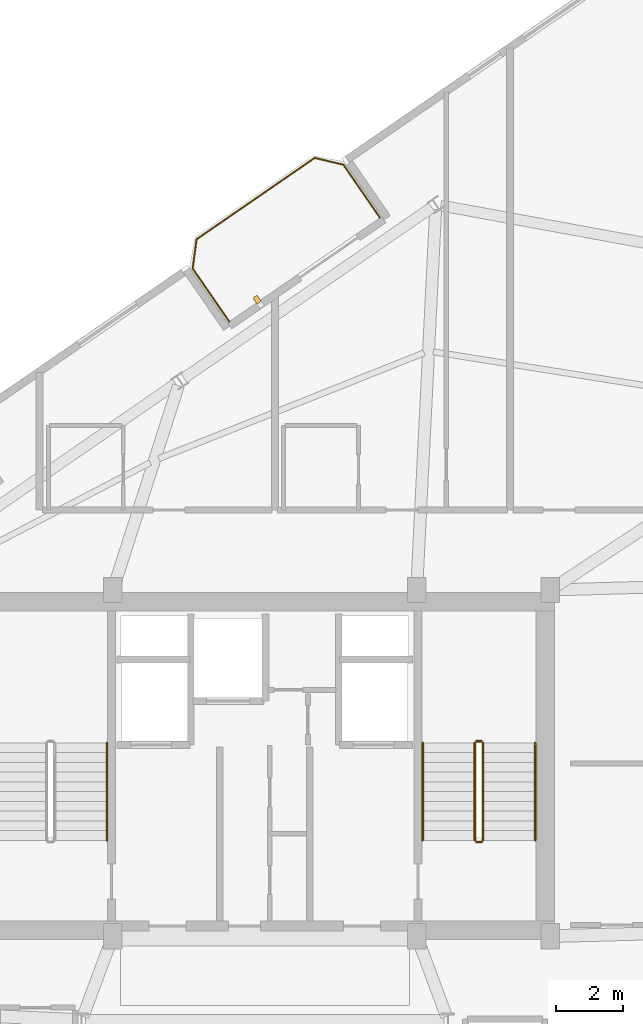
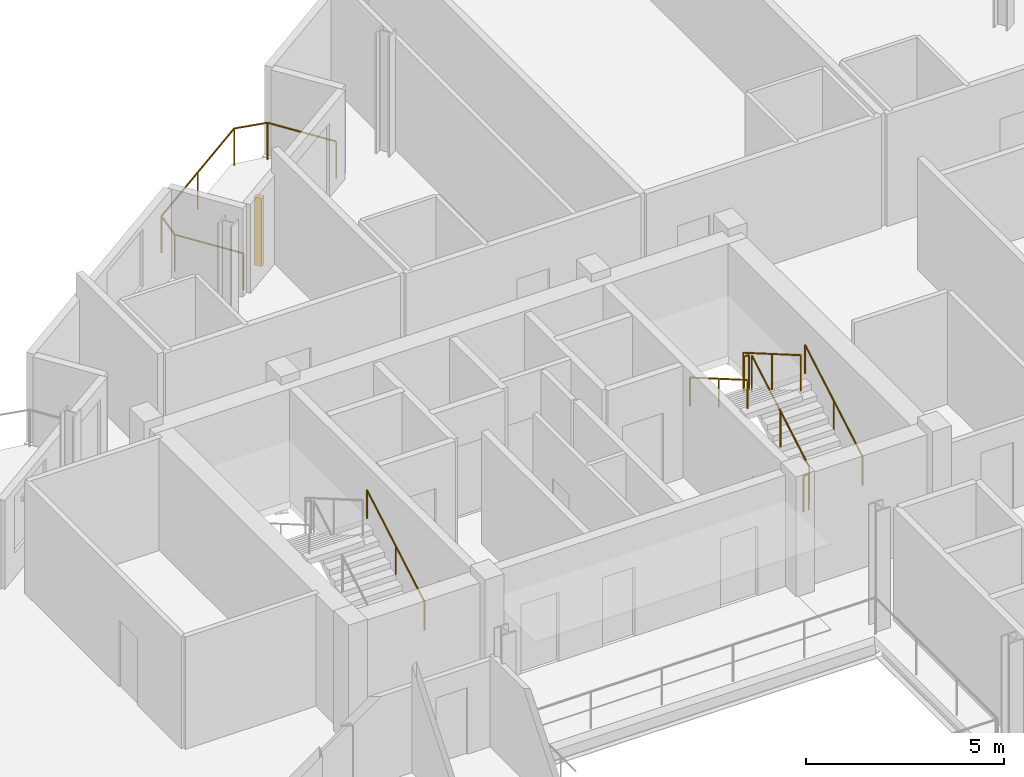
# One storey, part 22 of 22: 8 railings, 1 shading device.
"""IFC4 building model written with IfcOpenShell, lengths in metres."""

import ifcopenshell
import ifcopenshell.guid

model = None  # the IFC model being written
_history = None  # IfcOwnerHistory: only IFC2X3 demands one
_inside = {}  # id of a spatial element -> (the spatial element, [elements in it])
_under = {}  # id of a project, library or spatial element -> (it, [spatial elements below it])
_declared = {}  # id of a project -> (the project, [libraries it declares])
_typed = {}  # id of a type object -> (the type object, [elements of that type])
_made_of = {}  # id of a material, layer set ... -> (it, [elements and type objects made of it])


def new_model(schema):
    """Start an empty IFC model of exactly this schema.

    Asked for "IFC4X3", IfcOpenShell would pick the latest addendum, in which some entities
    have other attributes; the version numbers below select the first issue.
    IFC2X3 requires an IfcOwnerHistory on every rooted entity: one is made here for all.
    """
    global model, _history
    if schema == "IFC4X3":
        model = ifcopenshell.file(schema_version=(4, 3, 0, 0))
    else:
        model = ifcopenshell.file(schema=schema)
    _inside.clear()
    _under.clear()
    _declared.clear()
    _typed.clear()
    _made_of.clear()
    _history = None
    if model.schema == "IFC2X3":
        org = make("IfcOrganization", Name="unknown")
        user = make(
            "IfcPersonAndOrganization",
            ThePerson=make("IfcPerson", FamilyName="unknown"),
            TheOrganization=org,
        )
        app = make(
            "IfcApplication",
            ApplicationDeveloper=org,
            Version="unknown",
            ApplicationFullName="unknown",
            ApplicationIdentifier="unknown",
        )
        _history = make(
            "IfcOwnerHistory",
            OwningUser=user,
            OwningApplication=app,
            ChangeAction="ADDED",
            CreationDate=0,
        )
    return model


def make(cls, **values):
    """One entity of the class cls with the attributes given. An attribute that is None is left unset."""
    return model.create_entity(
        cls, **{name: value for name, value in values.items() if value is not None}
    )


def rooted(cls, **values):
    """An entity with a GlobalId (a new one), such as an element, a storey or a relation."""
    return make(cls, GlobalId=ifcopenshell.guid.new(), OwnerHistory=_history, **values)


def si_unit(unit_type, name, prefix=None):
    """IfcSIUnit, for example si_unit("LENGTHUNIT", "METRE", prefix="MILLI")."""
    return make("IfcSIUnit", UnitType=unit_type, Prefix=prefix, Name=name)


def assignment(units):
    """IfcUnitAssignment: the units of a project."""
    return None if units is None else make("IfcUnitAssignment", Units=units)


def point(xyz):
    """IfcCartesianPoint."""
    return None if xyz is None else make("IfcCartesianPoint", Coordinates=xyz)


def direction(xyz):
    """IfcDirection."""
    return None if xyz is None else make("IfcDirection", DirectionRatios=xyz)


def frame(location, z_axis=None, x_axis=None):
    """IfcAxis2Placement3D, a coordinate frame: its origin and axes. An axis left out is left unset."""
    return make(
        "IfcAxis2Placement3D",
        Location=point(location),
        Axis=direction(z_axis),
        RefDirection=direction(x_axis),
    )


def frame_2d(location, x_axis=None):
    """IfcAxis2Placement2D, a coordinate frame in the plane: its origin and x axis."""
    return make(
        "IfcAxis2Placement2D", Location=point(location), RefDirection=direction(x_axis)
    )


def origin():
    """The frame at (0, 0, 0) with its axes left unset."""
    return frame((0.0, 0.0, 0.0))


def origin_2d():
    """The frame at (0, 0) in the plane with its x axis left unset."""
    return frame_2d((0.0, 0.0))


def place(relative_to, where):
    """IfcLocalPlacement: puts the frame where relative to a parent placement (None: the world)."""
    return make(
        "IfcLocalPlacement", PlacementRelTo=relative_to, RelativePlacement=where
    )


def context(
    kind, dimensions, precision=None, world=None, true_north=None, identifier=None
):
    """IfcGeometricRepresentationContext, for example the 3D "Model" context."""
    return make(
        "IfcGeometricRepresentationContext",
        ContextIdentifier=identifier,
        ContextType=kind,
        CoordinateSpaceDimension=dimensions,
        Precision=precision,
        WorldCoordinateSystem=world,
        TrueNorth=true_north,
    )


def subcontext(parent, identifier, kind, view, scale=None):
    """IfcGeometricRepresentationSubContext, for example "Body" below "Model"."""
    return make(
        "IfcGeometricRepresentationSubContext",
        ContextIdentifier=identifier,
        ContextType=kind,
        ParentContext=parent,
        TargetScale=scale,
        TargetView=view,
    )


def project(units=None, contexts=None):
    """IfcProject with its units and contexts."""
    return rooted(
        "IfcProject",
        Name="project",
        RepresentationContexts=contexts,
        UnitsInContext=assignment(units),
    )


def spatial(cls, under=None, at=None, **own):
    """A site, building, storey or space (cls), placed at a placement, below another one or the project."""
    s = rooted(cls, ObjectPlacement=at, **own)
    if under is not None:
        _under.setdefault(under.id(), (under, []))[1].append(s)
    return s


def profile(cls, at=None, kind="AREA", **sizes):
    """A parametric profile (cls). Its sizes go by their IFC names, for example OverallWidth=200.0."""
    return make(cls, ProfileType=kind, Position=at, **sizes)


def rectangle(**sizes):
    """IfcRectangleProfileDef."""
    return profile("IfcRectangleProfileDef", **sizes)


def circle(**sizes):
    """IfcCircleProfileDef."""
    return profile("IfcCircleProfileDef", **sizes)


def extrude(swept, where, along, depth):
    """IfcExtrudedAreaSolid: the profile swept, set in the frame where, extruded along a direction by depth."""
    return make(
        "IfcExtrudedAreaSolid",
        SweptArea=swept,
        Position=where,
        ExtrudedDirection=direction(along),
        Depth=depth,
    )


def shape(context_of_items, identifier, shape_type, items):
    """IfcShapeRepresentation: the items that make up one representation, for example the "Body"."""
    return make(
        "IfcShapeRepresentation",
        ContextOfItems=context_of_items,
        RepresentationIdentifier=identifier,
        RepresentationType=shape_type,
        Items=items,
    )


def source(mapping_origin, context_of_items, identifier, shape_type, items):
    """IfcRepresentationMap: a shape defined once, which mapped items show again and again."""
    return make(
        "IfcRepresentationMap",
        MappingOrigin=mapping_origin,
        MappedRepresentation=shape(context_of_items, identifier, shape_type, items),
    )


def transform(
    local_origin,
    x_axis=None,
    y_axis=None,
    z_axis=None,
    scale=None,
    scale2=None,
    scale3=None,
    uniform=True,
):
    """IfcCartesianTransformationOperator3D, or its non-uniform kind. x_axis, y_axis, z_axis: its Axis1, 2, 3."""
    if uniform:
        return make(
            "IfcCartesianTransformationOperator3D",
            Axis1=direction(x_axis),
            Axis2=direction(y_axis),
            LocalOrigin=point(local_origin),
            Scale=scale,
            Axis3=direction(z_axis),
        )
    return make(
        "IfcCartesianTransformationOperator3DnonUniform",
        Axis1=direction(x_axis),
        Axis2=direction(y_axis),
        LocalOrigin=point(local_origin),
        Scale=scale,
        Axis3=direction(z_axis),
        Scale2=scale2,
        Scale3=scale3,
    )


def mapped(mapping_source, mapping_target):
    """IfcMappedItem: shows the shape of a source again, moved by a transform."""
    return make(
        "IfcMappedItem", MappingSource=mapping_source, MappingTarget=mapping_target
    )


def material(Name=None, Category=None):
    """IfcMaterial."""
    return make("IfcMaterial", Name=Name, Category=Category)


def made_of(thing, what):
    """Note that an element or type object is made of a material, layer set ...; save() writes the relation."""
    if what is not None:
        _made_of.setdefault(what.id(), (what, []))[1].append(thing)
    return thing


def type_object(cls, material=None, **own):
    """A type object (cls), such as IfcWallType, which elements share."""
    return made_of(rooted(cls, **own), material)


def element(
    cls,
    number,
    at=None,
    inside=None,
    cuts=None,
    type_object=None,
    material=None,
    context=None,
    identifier="Body",
    shape_type=None,
    held_by="IfcProductDefinitionShape",
    body=None,
    shapes=None,
    **own,
):
    """One element of the class cls, such as IfcWall. Its Tag is "e" and its number.

    at: its placement. inside: the storey or other place that contains it. cuts: it is an
    opening in that element (IfcRelVoidsElement). A single representation is given by context,
    identifier, shape_type and body (its items); several are given by shapes. held_by: the class
    of the entity that holds the representations. save() writes the other relations.
    """
    e = rooted(cls, Tag="e%d" % number, ObjectPlacement=at, **own)
    if body is not None:
        shapes = [shape(context, identifier, shape_type, body)]
    if shapes is not None:
        e.Representation = make(held_by, Representations=shapes)
    if inside is not None:
        _inside.setdefault(inside.id(), (inside, []))[1].append(e)
    if cuts is not None:
        rooted(
            "IfcRelVoidsElement", RelatingBuildingElement=cuts, RelatedOpeningElement=e
        )
    if type_object is not None:
        _typed.setdefault(type_object.id(), (type_object, []))[1].append(e)
    return made_of(e, material)


def aggregate(whole, parts):
    """IfcRelAggregates: a whole, such as a stair, and the parts it consists of."""
    return rooted("IfcRelAggregates", RelatingObject=whole, RelatedObjects=parts)


def save(model, path):
    """Write the relations noted so far, then the file.

    IfcRelAggregates (storeys below a building ...), IfcRelContainedInSpatialStructure (elements
    in a storey), IfcRelDefinesByType, IfcRelAssociatesMaterial and IfcRelDeclares: one each for
    every whole, place, type object, material and project.
    """
    for whole, parts in _under.values():
        aggregate(whole, parts)
    for where, things in _inside.values():
        rooted(
            "IfcRelContainedInSpatialStructure",
            RelatedElements=things,
            RelatingStructure=where,
        )
    for kind, things in _typed.values():
        rooted("IfcRelDefinesByType", RelatedObjects=things, RelatingType=kind)
    for what, things in _made_of.values():
        rooted("IfcRelAssociatesMaterial", RelatedObjects=things, RelatingMaterial=what)
    for by, libraries in _declared.values():
        rooted("IfcRelDeclares", RelatingContext=by, RelatedDefinitions=libraries)
    model.write(path)


model = new_model("IFC4")

# Units and contexts
model_context = context("Model", 3, precision=1e-05, world=origin(), true_north=direction((0.0, 1.0)))
body_context = subcontext(model_context, "Body", "Model", "MODEL_VIEW")
ifc_project = project(units=[si_unit("LENGTHUNIT", "METRE"), si_unit("AREAUNIT", "SQUARE_METRE"), si_unit("VOLUMEUNIT", "CUBIC_METRE"), si_unit("PLANEANGLEUNIT", "RADIAN"), si_unit("MASSUNIT", "GRAM", prefix="KILO")], contexts=[model_context])

# Site, building, storey
site_placement = place(None, origin())
site = spatial("IfcSite", under=ifc_project, at=site_placement, CompositionType="ELEMENT")
building_placement = place(site_placement, origin())
building = spatial("IfcBuilding", under=site, at=building_placement, Name="Varnelok Gate Tower", CompositionType="ELEMENT")
storey_placement = place(building_placement, frame((0.0, 0.0, 280.39990234375)))
storey = spatial("IfcBuildingStorey", under=building, at=storey_placement, Name="L72", CompositionType="ELEMENT", Elevation=280.39990234375)

# Railings
ifc_material_1 = material(Name="Low-E Laminated Double Glazing IGU", Category="glass")
railing_type_1 = type_object("IfcRailingType", Name="RL-BALC-1150", PredefinedType="BALUSTRADE", material=ifc_material_1)
railing_1_placement = place(storey_placement, frame((38.143310546875, 47.036376953125, 0.0)))
element("IfcRailing", 1, at=railing_1_placement, inside=storey, type_object=railing_type_1, Name="L72 North Terrace Balustrade 6", PredefinedType="BALUSTRADE", context=body_context, shape_type="SweptSolid", body=[
    extrude(circle(Radius=0.02392578125, at=origin_2d()), frame((0.0, 0.0, 1.1259765625), z_axis=(-0.567284155424, 0.82352212296, 0.0), x_axis=(-0.82352212296, -0.567284155424, 0.0)), (0.0, 0.0, 1.0), 1.919921875),
    extrude(circle(Radius=0.02392578125, at=origin_2d()), frame((-1.089111328125, 1.5810546875, 1.1259765625), z_axis=(0.133238627421, 0.991083986433, 0.0), x_axis=(-0.991083986433, 0.133238627421, 0.0)), (0.0, 0.0, 1.0), 0.877685546875),
    extrude(circle(Radius=0.02392578125, at=origin_2d()), frame((-0.97216796875, 2.450927734375, 1.1259765625), z_axis=(0.823530765458, 0.56727160897, 0.0), x_axis=(-0.56727160897, 0.823530765458, 0.0)), (0.0, 0.0, 1.0), 4.26708984375),
    extrude(circle(Radius=0.02392578125, at=origin_2d()), frame((2.5419921875, 4.87158203125, 1.1259765625), z_axis=(0.973573806257, -0.228372598553, 0.0), x_axis=(0.228372598553, 0.973573806257, 0.0)), (0.0, 0.0, 1.0), 0.877685546875),
    extrude(circle(Radius=0.02392578125, at=origin_2d()), frame((3.396484375, 4.671142578125, 1.1259765625), z_axis=(0.567224752248, -0.823563039747, 0.0), x_axis=(0.823563039747, 0.567224752248, 0.0)), (0.0, 0.0, 1.0), 1.920166015625),
    extrude(circle(Radius=0.02099609375, at=origin_2d()), origin(), (0.0, 0.0, 1.0), 1.101806640625),
    extrude(circle(Radius=0.02099609375, at=origin_2d()), frame((-1.089111328125, 1.5810546875, 0.0)), (0.0, 0.0, 1.0), 1.101806640625),
    extrude(circle(Radius=0.02099609375, at=origin_2d()), frame((-0.97216796875, 2.450927734375, 0.0)), (0.0, 0.0, 1.0), 1.101806640625),
    extrude(circle(Radius=0.02099609375, at=origin_2d()), frame((0.784912109375, 3.6611328125, 0.0)), (0.0, 0.0, 1.0), 1.101806640625),
    extrude(circle(Radius=0.02099609375, at=origin_2d()), frame((2.5419921875, 4.87158203125, 0.0)), (0.0, 0.0, 1.0), 1.101806640625),
    extrude(circle(Radius=0.02099609375, at=origin_2d()), frame((3.396484375, 4.671142578125, 0.0)), (0.0, 0.0, 1.0), 1.101806640625),
    extrude(circle(Radius=0.02099609375, at=origin_2d()), frame((4.485595703125, 3.08984375, 0.0)), (0.0, 0.0, 1.0), 1.101806640625),
])
ifc_material_2 = material(Name="Brushed Stainless Steel AISI 316", Category="steel")
railing_type_2 = type_object("IfcRailingType", Name="RL-HANDRAIL-900", PredefinedType="HANDRAIL", material=ifc_material_2)
for number, where, name in (
    (2, (34.5, 31.60009765625, 0.168212890625), "L72 ST-1 stair handrail 1"),
    (3, (47.25, 31.60009765625, 0.168212890625), "L72 ST-2 stair handrail 1"),
):
    element("IfcRailing", number, at=place(storey_placement, frame(where)), inside=storey, type_object=railing_type_2, Name=name, PredefinedType="HANDRAIL", context=body_context, shape_type="SweptSolid", body=[
        extrude(circle(Radius=0.02392578125, at=origin_2d()), frame((0.0, 0.0, 0.8759765625), z_axis=(0.0, 0.865038774852, 0.501705010941), x_axis=(-1.0, 0.0, 0.0)), (0.0, 0.0, 1.0), 3.352294921875),
        extrude(circle(Radius=0.02099609375, at=origin_2d()), origin(), (0.0, 0.0, 1.0), 0.851806640625),
        extrude(circle(Radius=0.02099609375, at=origin_2d()), frame((0.0, 1.449951171875, 0.8408203125)), (0.0, 0.0, 1.0), 0.851806640625),
        extrude(circle(Radius=0.02099609375, at=origin_2d()), frame((0.0, 2.89990234375, 1.681884765625)), (0.0, 0.0, 1.0), 0.851806640625),
    ])
railing_2_placement = place(storey_placement, frame((43.89990234375, 34.5, 2.018310546875)))
element("IfcRailing", 4, at=railing_2_placement, inside=storey, type_object=railing_type_2, Name="L72 ST-2 stair handrail 2", PredefinedType="HANDRAIL", context=body_context, shape_type="SweptSolid", body=[
    extrude(circle(Radius=0.02392578125, at=origin_2d()), frame((0.0, 0.0, 0.8759765625), z_axis=(0.0, -0.865038774852, 0.501705010941), x_axis=(1.0, 0.0, 0.0)), (0.0, 0.0, 1.0), 3.352294921875),
    extrude(circle(Radius=0.02099609375, at=origin_2d()), origin(), (0.0, 0.0, 1.0), 0.851806640625),
    extrude(circle(Radius=0.02099609375, at=origin_2d()), frame((0.0, -1.449951171875, 0.8408203125)), (0.0, 0.0, 1.0), 0.851806640625),
    extrude(circle(Radius=0.02099609375, at=origin_2d()), frame((0.0, -2.89990234375, 1.681884765625)), (0.0, 0.0, 1.0), 0.851806640625),
])
ifc_material_3 = material(Name="Galvanized Steel Grade S350GD", Category="steel")
railing_type_3 = type_object("IfcRailingType", Name="RL-STAIR-GUARD1120", PredefinedType="GUARDRAIL", material=ifc_material_3)
railing_3_placement = place(storey_placement, frame((45.699951171875, 31.60009765625, 0.168212890625)))
element("IfcRailing", 5, at=railing_3_placement, inside=storey, type_object=railing_type_3, Name="L72 ST-2 stair guard 1", PredefinedType="GUARDRAIL", context=body_context, shape_type="SweptSolid", body=[
    extrude(circle(Radius=0.02392578125, at=origin_2d()), frame((0.0, 0.0, 1.09619140625), z_axis=(0.0, 0.865038774852, 0.501705010941), x_axis=(-1.0, 0.0, 0.0)), (0.0, 0.0, 1.0), 3.352294921875),
    extrude(circle(Radius=0.02099609375, at=origin_2d()), origin(), (0.0, 0.0, 1.0), 1.072021484375),
    extrude(circle(Radius=0.02099609375, at=origin_2d()), frame((0.0, 1.449951171875, 0.8408203125)), (0.0, 0.0, 1.0), 1.072021484375),
    extrude(circle(Radius=0.02099609375, at=origin_2d()), frame((0.0, 2.89990234375, 1.681884765625)), (0.0, 0.0, 1.0), 1.072021484375),
])
railing_4_placement = place(storey_placement, frame((45.64990234375, 34.550048828125, 1.85009765625)))
element("IfcRailing", 6, at=railing_4_placement, inside=storey, type_object=railing_type_3, Name="L72 ST-2 stair guard 2", PredefinedType="GUARDRAIL", context=body_context, shape_type="SweptSolid", body=[
    extrude(circle(Radius=0.02392578125, at=origin_2d()), frame((0.0, 0.0, 1.09619140625), z_axis=(-1.0, 0.0, 0.0), x_axis=(0.0, -1.0, 0.0)), (0.0, 0.0, 1.0), 0.14990234375),
    extrude(circle(Radius=0.02099609375, at=origin_2d()), origin(), (0.0, 0.0, 1.0), 1.072021484375),
    extrude(circle(Radius=0.02099609375, at=origin_2d()), frame((-0.14990234375, 0.0, 0.0)), (0.0, 0.0, 1.0), 1.072021484375),
])
railing_5_placement = place(storey_placement, frame((45.449951171875, 34.5, 2.018310546875)))
element("IfcRailing", 7, at=railing_5_placement, inside=storey, type_object=railing_type_3, Name="L72 ST-2 stair guard 3", PredefinedType="GUARDRAIL", context=body_context, shape_type="SweptSolid", body=[
    extrude(circle(Radius=0.02392578125, at=origin_2d()), frame((0.0, 0.0, 1.09619140625), z_axis=(0.0, -0.865038774852, 0.501705010941), x_axis=(1.0, 0.0, 0.0)), (0.0, 0.0, 1.0), 3.352294921875),
    extrude(circle(Radius=0.02099609375, at=origin_2d()), origin(), (0.0, 0.0, 1.0), 1.072021484375),
    extrude(circle(Radius=0.02099609375, at=origin_2d()), frame((0.0, -1.449951171875, 0.8408203125)), (0.0, 0.0, 1.0), 1.072021484375),
    extrude(circle(Radius=0.02099609375, at=origin_2d()), frame((0.0, -2.89990234375, 1.681884765625)), (0.0, 0.0, 1.0), 1.072021484375),
])
railing_6_placement = place(storey_placement, frame((45.64990234375, 31.550048828125, 0.0)))
element("IfcRailing", 8, at=railing_6_placement, inside=storey, type_object=railing_type_3, Name="L72 ST-2 stair guard 4", PredefinedType="GUARDRAIL", context=body_context, shape_type="SweptSolid", body=[
    extrude(circle(Radius=0.02392578125, at=origin_2d()), frame((0.0, 0.0, 1.09619140625), z_axis=(-1.0, 0.0, 0.0), x_axis=(0.0, -1.0, 0.0)), (0.0, 0.0, 1.0), 0.14990234375),
    extrude(circle(Radius=0.02099609375, at=origin_2d()), origin(), (0.0, 0.0, 1.0), 1.072021484375),
    extrude(circle(Radius=0.02099609375, at=origin_2d()), frame((-0.14990234375, 0.0, 0.0)), (0.0, 0.0, 1.0), 1.072021484375),
])

# Shading device
ifc_material_4 = material(Name="Glazed Architectural Terracotta Ceramic", Category="masonry")
shading_device_type = type_object("IfcShadingDeviceType", Name="SHD-TERRA-BAGUETTE", PredefinedType="USERDEFINED", material=ifc_material_4)
shared_shape = source(origin(), body_context, "Body", "SweptSolid", [
    extrude(rectangle(XDim=0.139892578125, YDim=0.219970703125, at=origin_2d()), origin(), (0.0, 0.0, 1.0), 2.10009765625),
])
shading_device_placement = place(storey_placement, frame((38.970947265625, 47.69140625, 0.10009765625), z_axis=(0.0, 0.0, 1.0), x_axis=(0.823532597628, 0.567268949127, 0.0)))
element("IfcShadingDevice", 9, at=shading_device_placement, inside=storey, type_object=shading_device_type, Name="L72 Terracotta Ceramic Baguette Sunscreen 6.1", ObjectType="BAGUETTE", PredefinedType="USERDEFINED", context=body_context, shape_type="MappedRepresentation", body=[
    mapped(shared_shape, transform((0.0, 0.0, 0.0), scale=1.0)),
])

save(model, "model.ifc")
